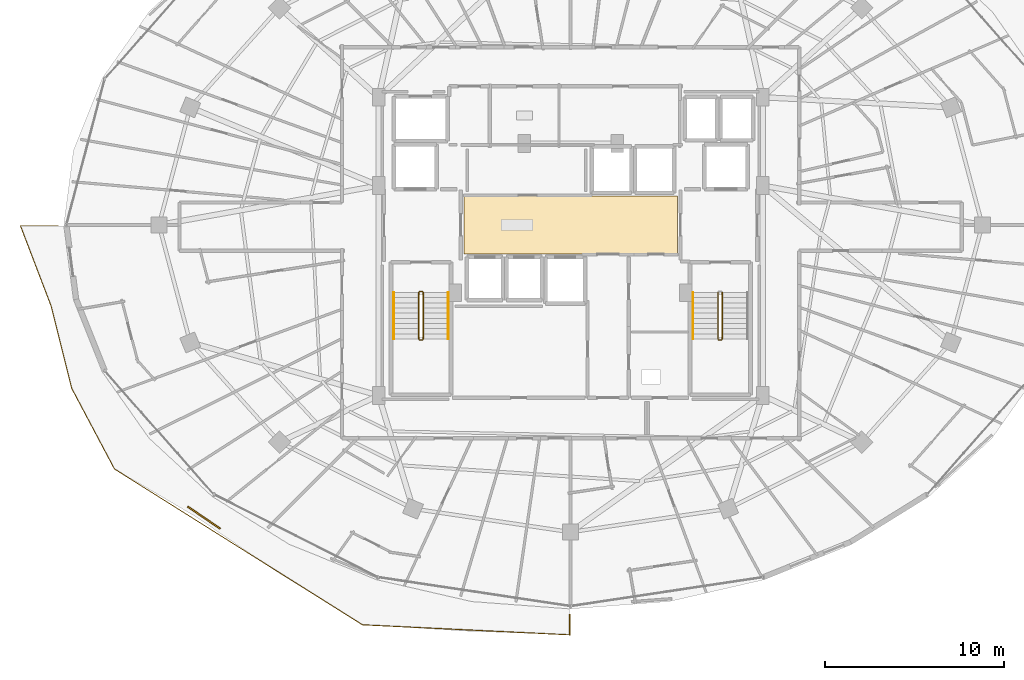
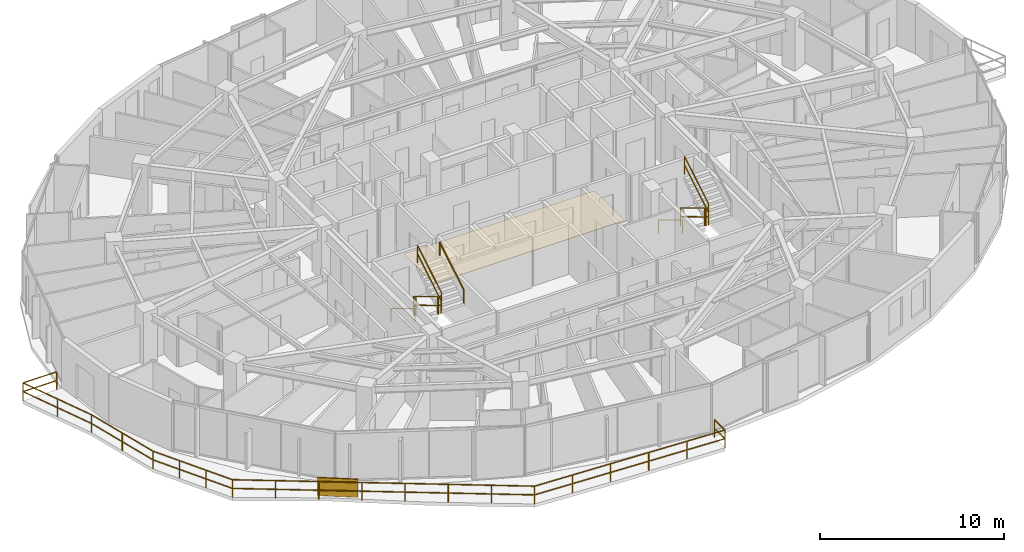
# One storey, part 32 of 34: 12 railings, 1 covering, 1 shading device.
"""IFC4 building model written with IfcOpenShell, lengths in metres."""

from ifc_helpers import new_model, si_unit, direction, frame, origin, origin_2d, place, context, subcontext, project, spatial, polyline, rectangle, outline, extrude, material, layer, layer_set, type_object, element, save


model = new_model("IFC4")

# Units and contexts
model_context = context("Model", 3, precision=1e-05, world=origin(), true_north=direction((0.0, 1.0)))
body_context = subcontext(model_context, "Body", "Model", "MODEL_VIEW")
ifc_project = project(units=[si_unit("LENGTHUNIT", "METRE"), si_unit("AREAUNIT", "SQUARE_METRE"), si_unit("VOLUMEUNIT", "CUBIC_METRE"), si_unit("PLANEANGLEUNIT", "RADIAN"), si_unit("MASSUNIT", "GRAM", prefix="KILO")], contexts=[model_context])

# Site, building, storey
site_placement = place(None, origin())
site = spatial("IfcSite", under=ifc_project, at=site_placement, CompositionType="ELEMENT")
building_placement = place(site_placement, origin())
building = spatial("IfcBuilding", under=site, at=building_placement, Name="Vorneva Point Tower", CompositionType="ELEMENT")
storey_placement = place(building_placement, frame((0.0, 0.0, 182.60009765625)))
storey = spatial("IfcBuildingStorey", under=building, at=storey_placement, Name="L49", CompositionType="ELEMENT", Elevation=182.60009765625)

# Covering
ifc_material_1 = material(Name="Acoustic wool hospitality carpet", Category="textile")
ifc_layer = layer(ifc_material_1, 0.01806640625)
ifc_layer_set = layer_set([ifc_layer], Name="Acoustic wool hospitality carpet")
covering_type = type_object("IfcCoveringType", Name="COV-FLR-CRP", PredefinedType="FLOORING", material=ifc_layer_set)
covering_placement = place(storey_placement, frame((0.0, 0.0, -0.005126953125)))
element("IfcCovering", 1, at=covering_placement, inside=storey, type_object=covering_type, Name="L49 Lift Lobby Floor Finish", PredefinedType="FLOORING", context=body_context, shape_type="SweptSolid", body=[
    extrude(outline(polyline([(32.02001953125, 24.3701171875), (43.97998046875, 24.3701171875), (43.97998046875, 27.6298828125), (32.02001953125, 27.6298828125), (32.02001953125, 24.3701171875)])), origin(), (0.0, 0.0, 1.0), 0.02294921875),
])

# Railings
ifc_material_2 = material(Name="Pale anodised aluminium", Category="aluminium")
railing_type_1 = type_object("IfcRailingType", Name="RL-BAL-1200", PredefinedType="BALUSTRADE", material=ifc_material_2)
railing_1_placement = place(storey_placement, frame((37.949951171875, 3.046875, 0.0)))
element("IfcRailing", 2, at=railing_1_placement, inside=storey, type_object=railing_type_1, Name="L49 Wave Balcony Balustrade SW.1", PredefinedType="BALUSTRADE", context=body_context, shape_type="SweptSolid", body=[
    extrude(rectangle(XDim=0.048095703125, YDim=0.048095703125, at=origin_2d()), frame((0.0, 0.0, 1.17578125), z_axis=(0.0, 1.0, 0.0), x_axis=(-1.0, 0.0, 0.0)), (0.0, 0.0, 1.0), 1.135986328125),
    extrude(rectangle(XDim=0.048095703125, YDim=0.048095703125, at=origin_2d()), frame((0.0, 0.0, 0.60009765625), z_axis=(0.0, 1.0, 0.0), x_axis=(-1.0, 0.0, 0.0)), (0.0, 0.0, 1.0), 1.135986328125),
    extrude(rectangle(XDim=0.0419921875, YDim=0.0419921875, at=origin_2d()), origin(), (0.0, 0.0, 1.0), 1.15185546875),
    extrude(rectangle(XDim=0.0419921875, YDim=0.0419921875, at=origin_2d()), frame((0.0, 1.135986328125, 0.0)), (0.0, 0.0, 1.0), 1.15185546875),
])
railing_2_placement = place(storey_placement, frame((9.3037109375, 25.949951171875, 0.0)))
element("IfcRailing", 3, at=railing_2_placement, inside=storey, type_object=railing_type_1, Name="L49 Wave Balcony Balustrade SW.2", PredefinedType="BALUSTRADE", context=body_context, shape_type="SweptSolid", body=[
    extrude(rectangle(XDim=0.048095703125, YDim=0.048095703125, at=origin_2d()), frame((0.0, 0.0, 1.17578125), z_axis=(-1.0, 0.0, 0.0), x_axis=(0.0, -1.0, 0.0)), (0.0, 0.0, 1.0), 2.109619140625),
    extrude(rectangle(XDim=0.048095703125, YDim=0.048095703125, at=origin_2d()), frame((0.0, 0.0, 0.60009765625), z_axis=(-1.0, 0.0, 0.0), x_axis=(0.0, -1.0, 0.0)), (0.0, 0.0, 1.0), 2.109619140625),
    extrude(rectangle(XDim=0.048095703125, YDim=0.048095703125, at=origin_2d()), frame((-2.109619140625, 0.0, 1.17578125), z_axis=(0.357052473126, -0.934084327796, 0.0), x_axis=(0.934084327796, 0.357052473126, 0.0)), (0.0, 0.0, 1.0), 4.791259765625),
    extrude(rectangle(XDim=0.048095703125, YDim=0.048095703125, at=origin_2d()), frame((-2.109619140625, 0.0, 0.60009765625), z_axis=(0.357052473126, -0.934084327796, 0.0), x_axis=(0.934084327796, 0.357052473126, 0.0)), (0.0, 0.0, 1.0), 4.791259765625),
    extrude(rectangle(XDim=0.048095703125, YDim=0.048095703125, at=origin_2d()), frame((-0.39892578125, -4.475341796875, 1.17578125), z_axis=(0.243544631773, -0.969889690808, 0.0), x_axis=(0.969889690808, 0.243544631773, 0.0)), (0.0, 0.0, 1.0), 4.78173828125),
    extrude(rectangle(XDim=0.048095703125, YDim=0.048095703125, at=origin_2d()), frame((-0.39892578125, -4.475341796875, 0.60009765625), z_axis=(0.243544631773, -0.969889690808, 0.0), x_axis=(0.969889690808, 0.243544631773, 0.0)), (0.0, 0.0, 1.0), 4.78173828125),
    extrude(rectangle(XDim=0.048095703125, YDim=0.048095703125, at=origin_2d()), frame((0.765625, -9.113037109375, 1.17578125), z_axis=(0.468504330628, -0.883461200157, 0.0), x_axis=(0.883461200157, 0.468504330628, 0.0)), (0.0, 0.0, 1.0), 5.0927734375),
    extrude(rectangle(XDim=0.048095703125, YDim=0.048095703125, at=origin_2d()), frame((0.765625, -9.113037109375, 0.60009765625), z_axis=(0.468504330628, -0.883461200157, 0.0), x_axis=(0.883461200157, 0.468504330628, 0.0)), (0.0, 0.0, 1.0), 5.0927734375),
    extrude(rectangle(XDim=0.048095703125, YDim=0.048095703125, at=origin_2d()), frame((3.151611328125, -13.6123046875, 1.17578125), z_axis=(0.846684820607, -0.532094742084, 0.0), x_axis=(0.532094742084, 0.846684820607, 0.0)), (0.0, 0.0, 1.0), 16.406005859375),
    extrude(rectangle(XDim=0.048095703125, YDim=0.048095703125, at=origin_2d()), frame((3.151611328125, -13.6123046875, 0.60009765625), z_axis=(0.846684820607, -0.532094742084, 0.0), x_axis=(0.532094742084, 0.846684820607, 0.0)), (0.0, 0.0, 1.0), 16.406005859375),
    extrude(rectangle(XDim=0.048095703125, YDim=0.048095703125, at=origin_2d()), frame((17.042236328125, -22.341796875, 1.17578125), z_axis=(0.998832246772, -0.048312967291, 0.0), x_axis=(0.048312967291, 0.998832246772, 0.0)), (0.0, 0.0, 1.0), 11.61767578125),
    extrude(rectangle(XDim=0.048095703125, YDim=0.048095703125, at=origin_2d()), frame((17.042236328125, -22.341796875, 0.60009765625), z_axis=(0.998832246772, -0.048312967291, 0.0), x_axis=(0.048312967291, 0.998832246772, 0.0)), (0.0, 0.0, 1.0), 11.61767578125),
    extrude(rectangle(XDim=0.0419921875, YDim=0.0419921875, at=origin_2d()), origin(), (0.0, 0.0, 1.0), 1.15185546875),
    extrude(rectangle(XDim=0.0419921875, YDim=0.0419921875, at=origin_2d()), frame((-2.109619140625, 0.0, 0.0)), (0.0, 0.0, 1.0), 1.15185546875),
    extrude(rectangle(XDim=0.0419921875, YDim=0.0419921875, at=origin_2d()), frame((-1.25439453125, -2.23779296875, 0.0)), (0.0, 0.0, 1.0), 1.15185546875),
    extrude(rectangle(XDim=0.0419921875, YDim=0.0419921875, at=origin_2d()), frame((-0.39892578125, -4.475341796875, 0.0)), (0.0, 0.0, 1.0), 1.15185546875),
    extrude(rectangle(XDim=0.0419921875, YDim=0.0419921875, at=origin_2d()), frame((0.183349609375, -6.794189453125, 0.0)), (0.0, 0.0, 1.0), 1.15185546875),
    extrude(rectangle(XDim=0.0419921875, YDim=0.0419921875, at=origin_2d()), frame((0.765625, -9.113037109375, 0.0)), (0.0, 0.0, 1.0), 1.15185546875),
    extrude(rectangle(XDim=0.0419921875, YDim=0.0419921875, at=origin_2d()), frame((1.56103515625, -10.61279296875, 0.0)), (0.0, 0.0, 1.0), 1.15185546875),
    extrude(rectangle(XDim=0.0419921875, YDim=0.0419921875, at=origin_2d()), frame((2.356201171875, -12.112548828125, 0.0)), (0.0, 0.0, 1.0), 1.15185546875),
    extrude(rectangle(XDim=0.0419921875, YDim=0.0419921875, at=origin_2d()), frame((3.151611328125, -13.6123046875, 0.0)), (0.0, 0.0, 1.0), 1.15185546875),
    extrude(rectangle(XDim=0.0419921875, YDim=0.0419921875, at=origin_2d()), frame((5.135986328125, -14.859375, 0.0)), (0.0, 0.0, 1.0), 1.15185546875),
    extrude(rectangle(XDim=0.0419921875, YDim=0.0419921875, at=origin_2d()), frame((7.120361328125, -16.1064453125, 0.0)), (0.0, 0.0, 1.0), 1.15185546875),
    extrude(rectangle(XDim=0.0419921875, YDim=0.0419921875, at=origin_2d()), frame((9.104736328125, -17.353515625, 0.0)), (0.0, 0.0, 1.0), 1.15185546875),
    extrude(rectangle(XDim=0.0419921875, YDim=0.0419921875, at=origin_2d()), frame((11.089111328125, -18.6005859375, 0.0)), (0.0, 0.0, 1.0), 1.15185546875),
    extrude(rectangle(XDim=0.0419921875, YDim=0.0419921875, at=origin_2d()), frame((13.073486328125, -19.84765625, 0.0)), (0.0, 0.0, 1.0), 1.15185546875),
    extrude(rectangle(XDim=0.0419921875, YDim=0.0419921875, at=origin_2d()), frame((15.057861328125, -21.0947265625, 0.0)), (0.0, 0.0, 1.0), 1.15185546875),
    extrude(rectangle(XDim=0.0419921875, YDim=0.0419921875, at=origin_2d()), frame((17.042236328125, -22.341796875, 0.0)), (0.0, 0.0, 1.0), 1.15185546875),
    extrude(rectangle(XDim=0.0419921875, YDim=0.0419921875, at=origin_2d()), frame((19.363037109375, -22.4541015625, 0.0)), (0.0, 0.0, 1.0), 1.15185546875),
    extrude(rectangle(XDim=0.0419921875, YDim=0.0419921875, at=origin_2d()), frame((21.683837890625, -22.56640625, 0.0)), (0.0, 0.0, 1.0), 1.15185546875),
    extrude(rectangle(XDim=0.0419921875, YDim=0.0419921875, at=origin_2d()), frame((24.004638671875, -22.678466796875, 0.0)), (0.0, 0.0, 1.0), 1.15185546875),
    extrude(rectangle(XDim=0.0419921875, YDim=0.0419921875, at=origin_2d()), frame((26.325439453125, -22.790771484375, 0.0)), (0.0, 0.0, 1.0), 1.15185546875),
    extrude(rectangle(XDim=0.0419921875, YDim=0.0419921875, at=origin_2d()), frame((28.646240234375, -22.903076171875, 0.0)), (0.0, 0.0, 1.0), 1.15185546875),
])
ifc_material_3 = material(Name="Brushed stainless steel S304", Category="steel")
railing_type_2 = type_object("IfcRailingType", Name="RL-HND-920", PredefinedType="HANDRAIL", material=ifc_material_3)
railing_3_placement = place(storey_placement, frame((28.10009765625, 22.219970703125, 0.1748046875)))
element("IfcRailing", 4, at=railing_3_placement, inside=storey, type_object=railing_type_2, Name="L49 ST1 stair handrail 1", PredefinedType="HANDRAIL", context=body_context, shape_type="SweptSolid", body=[
    extrude(rectangle(XDim=0.048095703125, YDim=0.048095703125, at=origin_2d()), frame((0.0, 0.0, 0.8759765625), z_axis=(0.0, -0.856147343639, 0.516731773728), x_axis=(1.0, 0.0, 0.0)), (0.0, 0.0, 1.0), 3.04833984375),
    extrude(rectangle(XDim=0.0419921875, YDim=0.0419921875, at=origin_2d()), origin(), (0.0, 0.0, 1.0), 0.851806640625),
    extrude(rectangle(XDim=0.0419921875, YDim=0.0419921875, at=origin_2d()), frame((0.0, -2.60986328125, 1.5751953125)), (0.0, 0.0, 1.0), 0.851806640625),
])
railing_4_placement = place(storey_placement, frame((31.14990234375, 19.610107421875, 1.9248046875)))
element("IfcRailing", 5, at=railing_4_placement, inside=storey, type_object=railing_type_2, Name="L49 ST1 stair handrail 2", PredefinedType="HANDRAIL", context=body_context, shape_type="SweptSolid", body=[
    extrude(rectangle(XDim=0.048095703125, YDim=0.048095703125, at=origin_2d()), frame((0.0, 0.0, 0.8759765625), z_axis=(0.0, 0.856147343639, 0.516731773728), x_axis=(-1.0, 0.0, 0.0)), (0.0, 0.0, 1.0), 3.04833984375),
    extrude(rectangle(XDim=0.0419921875, YDim=0.0419921875, at=origin_2d()), origin(), (0.0, 0.0, 1.0), 0.851806640625),
    extrude(rectangle(XDim=0.0419921875, YDim=0.0419921875, at=origin_2d()), frame((0.0, 2.60986328125, 1.5751953125)), (0.0, 0.0, 1.0), 0.851806640625),
])
railing_5_placement = place(storey_placement, frame((44.85009765625, 22.219970703125, 0.1748046875)))
element("IfcRailing", 6, at=railing_5_placement, inside=storey, type_object=railing_type_2, Name="L49 ST2 stair handrail 1", PredefinedType="HANDRAIL", context=body_context, shape_type="SweptSolid", body=[
    extrude(rectangle(XDim=0.048095703125, YDim=0.048095703125, at=origin_2d()), frame((0.0, 0.0, 0.8759765625), z_axis=(0.0, -0.856147343639, 0.516731773728), x_axis=(1.0, 0.0, 0.0)), (0.0, 0.0, 1.0), 3.04833984375),
    extrude(rectangle(XDim=0.0419921875, YDim=0.0419921875, at=origin_2d()), origin(), (0.0, 0.0, 1.0), 0.851806640625),
    extrude(rectangle(XDim=0.0419921875, YDim=0.0419921875, at=origin_2d()), frame((0.0, -2.60986328125, 1.5751953125)), (0.0, 0.0, 1.0), 0.851806640625),
])
railing_type_3 = type_object("IfcRailingType", Name="RL-STG-1100", PredefinedType="GUARDRAIL", material=ifc_material_3)
railing_6_placement = place(storey_placement, frame((29.5, 22.219970703125, 0.1748046875)))
element("IfcRailing", 7, at=railing_6_placement, inside=storey, type_object=railing_type_3, Name="L49 ST1 stair guard 1", PredefinedType="GUARDRAIL", context=body_context, shape_type="SweptSolid", body=[
    extrude(rectangle(XDim=0.048095703125, YDim=0.048095703125, at=origin_2d()), frame((0.0, 0.0, 1.17578125), z_axis=(0.0, -0.856147343639, 0.516731773728), x_axis=(1.0, 0.0, 0.0)), (0.0, 0.0, 1.0), 3.04833984375),
    extrude(rectangle(XDim=0.048095703125, YDim=0.048095703125, at=origin_2d()), frame((0.0, 0.0, 0.60009765625), z_axis=(0.0, -0.856147343639, 0.516731773728), x_axis=(1.0, 0.0, 0.0)), (0.0, 0.0, 1.0), 3.04833984375),
    extrude(rectangle(XDim=0.0419921875, YDim=0.0419921875, at=origin_2d()), origin(), (0.0, 0.0, 1.0), 1.15185546875),
    extrude(rectangle(XDim=0.0419921875, YDim=0.0419921875, at=origin_2d()), frame((0.0, -2.60986328125, 1.5751953125)), (0.0, 0.0, 1.0), 1.15185546875),
])
railing_7_placement = place(storey_placement, frame((29.550048828125, 19.56005859375, 1.75)))
element("IfcRailing", 8, at=railing_7_placement, inside=storey, type_object=railing_type_3, Name="L49 ST1 stair guard 2", PredefinedType="GUARDRAIL", context=body_context, shape_type="SweptSolid", body=[
    extrude(rectangle(XDim=0.048095703125, YDim=0.048095703125, at=origin_2d()), frame((0.0, 0.0, 1.17578125), z_axis=(1.0, 0.0, 0.0), x_axis=(0.0, 1.0, 0.0)), (0.0, 0.0, 1.0), 0.14990234375),
    extrude(rectangle(XDim=0.048095703125, YDim=0.048095703125, at=origin_2d()), frame((0.0, 0.0, 0.60009765625), z_axis=(1.0, 0.0, 0.0), x_axis=(0.0, 1.0, 0.0)), (0.0, 0.0, 1.0), 0.14990234375),
    extrude(rectangle(XDim=0.0419921875, YDim=0.0419921875, at=origin_2d()), origin(), (0.0, 0.0, 1.0), 1.15185546875),
    extrude(rectangle(XDim=0.0419921875, YDim=0.0419921875, at=origin_2d()), frame((0.14990234375, 0.0, 0.0)), (0.0, 0.0, 1.0), 1.15185546875),
])
railing_8_placement = place(storey_placement, frame((29.75, 19.610107421875, 1.9248046875)))
element("IfcRailing", 9, at=railing_8_placement, inside=storey, type_object=railing_type_3, Name="L49 ST1 stair guard 3", PredefinedType="GUARDRAIL", context=body_context, shape_type="SweptSolid", body=[
    extrude(rectangle(XDim=0.048095703125, YDim=0.048095703125, at=origin_2d()), frame((0.0, 0.0, 1.17578125), z_axis=(0.0, 0.856147343639, 0.516731773728), x_axis=(-1.0, 0.0, 0.0)), (0.0, 0.0, 1.0), 3.04833984375),
    extrude(rectangle(XDim=0.048095703125, YDim=0.048095703125, at=origin_2d()), frame((0.0, 0.0, 0.60009765625), z_axis=(0.0, 0.856147343639, 0.516731773728), x_axis=(-1.0, 0.0, 0.0)), (0.0, 0.0, 1.0), 3.04833984375),
    extrude(rectangle(XDim=0.0419921875, YDim=0.0419921875, at=origin_2d()), origin(), (0.0, 0.0, 1.0), 1.15185546875),
    extrude(rectangle(XDim=0.0419921875, YDim=0.0419921875, at=origin_2d()), frame((0.0, 2.60986328125, 1.5751953125)), (0.0, 0.0, 1.0), 1.15185546875),
])
railing_9_placement = place(storey_placement, frame((29.550048828125, 22.27001953125, 0.0)))
element("IfcRailing", 10, at=railing_9_placement, inside=storey, type_object=railing_type_3, Name="L49 ST1 stair guard 4", PredefinedType="GUARDRAIL", context=body_context, shape_type="SweptSolid", body=[
    extrude(rectangle(XDim=0.048095703125, YDim=0.048095703125, at=origin_2d()), frame((0.0, 0.0, 1.17578125), z_axis=(1.0, 0.0, 0.0), x_axis=(0.0, 1.0, 0.0)), (0.0, 0.0, 1.0), 0.14990234375),
    extrude(rectangle(XDim=0.048095703125, YDim=0.048095703125, at=origin_2d()), frame((0.0, 0.0, 0.60009765625), z_axis=(1.0, 0.0, 0.0), x_axis=(0.0, 1.0, 0.0)), (0.0, 0.0, 1.0), 0.14990234375),
    extrude(rectangle(XDim=0.0419921875, YDim=0.0419921875, at=origin_2d()), origin(), (0.0, 0.0, 1.0), 1.15185546875),
    extrude(rectangle(XDim=0.0419921875, YDim=0.0419921875, at=origin_2d()), frame((0.14990234375, 0.0, 0.0)), (0.0, 0.0, 1.0), 1.15185546875),
])
railing_10_placement = place(storey_placement, frame((46.25, 22.219970703125, 0.1748046875)))
element("IfcRailing", 11, at=railing_10_placement, inside=storey, type_object=railing_type_3, Name="L49 ST2 stair guard 1", PredefinedType="GUARDRAIL", context=body_context, shape_type="SweptSolid", body=[
    extrude(rectangle(XDim=0.048095703125, YDim=0.048095703125, at=origin_2d()), frame((0.0, 0.0, 1.17578125), z_axis=(0.0, -0.856147343639, 0.516731773728), x_axis=(1.0, 0.0, 0.0)), (0.0, 0.0, 1.0), 3.04833984375),
    extrude(rectangle(XDim=0.048095703125, YDim=0.048095703125, at=origin_2d()), frame((0.0, 0.0, 0.60009765625), z_axis=(0.0, -0.856147343639, 0.516731773728), x_axis=(1.0, 0.0, 0.0)), (0.0, 0.0, 1.0), 3.04833984375),
    extrude(rectangle(XDim=0.0419921875, YDim=0.0419921875, at=origin_2d()), origin(), (0.0, 0.0, 1.0), 1.15185546875),
    extrude(rectangle(XDim=0.0419921875, YDim=0.0419921875, at=origin_2d()), frame((0.0, -2.60986328125, 1.5751953125)), (0.0, 0.0, 1.0), 1.15185546875),
])
railing_11_placement = place(storey_placement, frame((46.300048828125, 19.56005859375, 1.75)))
element("IfcRailing", 12, at=railing_11_placement, inside=storey, type_object=railing_type_3, Name="L49 ST2 stair guard 2", PredefinedType="GUARDRAIL", context=body_context, shape_type="SweptSolid", body=[
    extrude(rectangle(XDim=0.048095703125, YDim=0.048095703125, at=origin_2d()), frame((0.0, 0.0, 1.17578125), z_axis=(1.0, 0.0, 0.0), x_axis=(0.0, 1.0, 0.0)), (0.0, 0.0, 1.0), 0.14990234375),
    extrude(rectangle(XDim=0.048095703125, YDim=0.048095703125, at=origin_2d()), frame((0.0, 0.0, 0.60009765625), z_axis=(1.0, 0.0, 0.0), x_axis=(0.0, 1.0, 0.0)), (0.0, 0.0, 1.0), 0.14990234375),
    extrude(rectangle(XDim=0.0419921875, YDim=0.0419921875, at=origin_2d()), origin(), (0.0, 0.0, 1.0), 1.15185546875),
    extrude(rectangle(XDim=0.0419921875, YDim=0.0419921875, at=origin_2d()), frame((0.14990234375, 0.0, 0.0)), (0.0, 0.0, 1.0), 1.15185546875),
])
railing_12_placement = place(storey_placement, frame((46.5, 19.610107421875, 1.9248046875)))
element("IfcRailing", 13, at=railing_12_placement, inside=storey, type_object=railing_type_3, Name="L49 ST2 stair guard 3", PredefinedType="GUARDRAIL", context=body_context, shape_type="SweptSolid", body=[
    extrude(rectangle(XDim=0.048095703125, YDim=0.048095703125, at=origin_2d()), frame((0.0, 0.0, 1.17578125), z_axis=(0.0, 0.856147343639, 0.516731773728), x_axis=(-1.0, 0.0, 0.0)), (0.0, 0.0, 1.0), 3.04833984375),
    extrude(rectangle(XDim=0.048095703125, YDim=0.048095703125, at=origin_2d()), frame((0.0, 0.0, 0.60009765625), z_axis=(0.0, 0.856147343639, 0.516731773728), x_axis=(-1.0, 0.0, 0.0)), (0.0, 0.0, 1.0), 3.04833984375),
    extrude(rectangle(XDim=0.0419921875, YDim=0.0419921875, at=origin_2d()), origin(), (0.0, 0.0, 1.0), 1.15185546875),
    extrude(rectangle(XDim=0.0419921875, YDim=0.0419921875, at=origin_2d()), frame((0.0, 2.60986328125, 1.5751953125)), (0.0, 0.0, 1.0), 1.15185546875),
])

# Shading device
shading_device_type = type_object("IfcShadingDeviceType", Name="SHD-JAL-1200", PredefinedType="JALOUSIE", material=ifc_material_2)
shading_device_placement = place(storey_placement, frame((17.469482421875, 9.6083984375, -0.02001953125), z_axis=(0.0, 0.0, 1.0), x_axis=(0.826098294496, -0.563526048938, 0.0)))
element("IfcShadingDevice", 14, at=shading_device_placement, inside=storey, type_object=shading_device_type, Name="L49 Balcony Vertical-Greenery Planter Screen SW.2", PredefinedType="JALOUSIE", context=body_context, shape_type="SweptSolid", body=[
    extrude(rectangle(XDim=2.199951171875, YDim=0.080078125, at=origin_2d()), origin(), (0.0, 0.0, 1.0), 1.199951171875),
])

save(model, "model.ifc")
